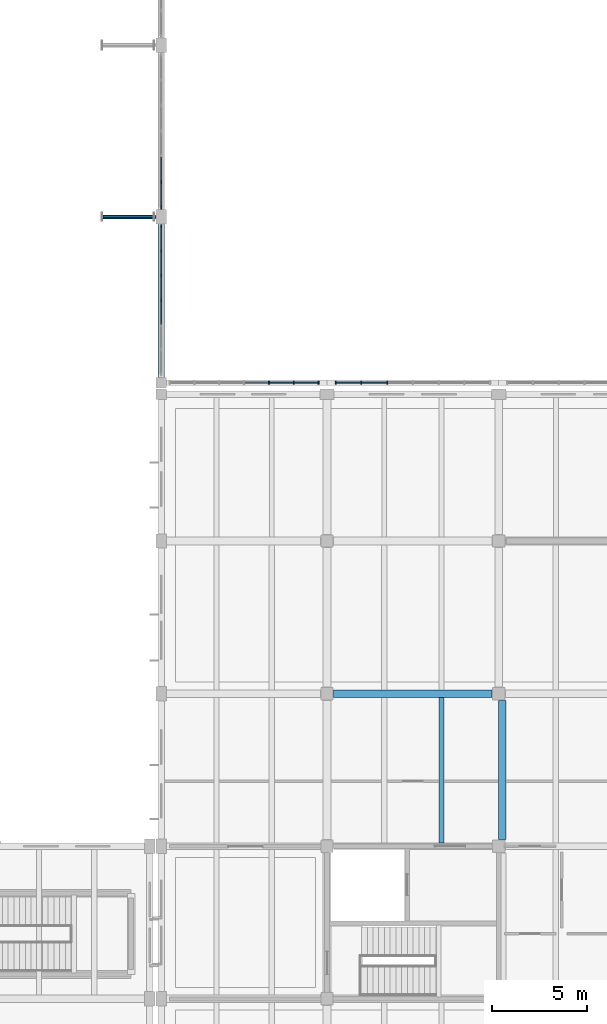
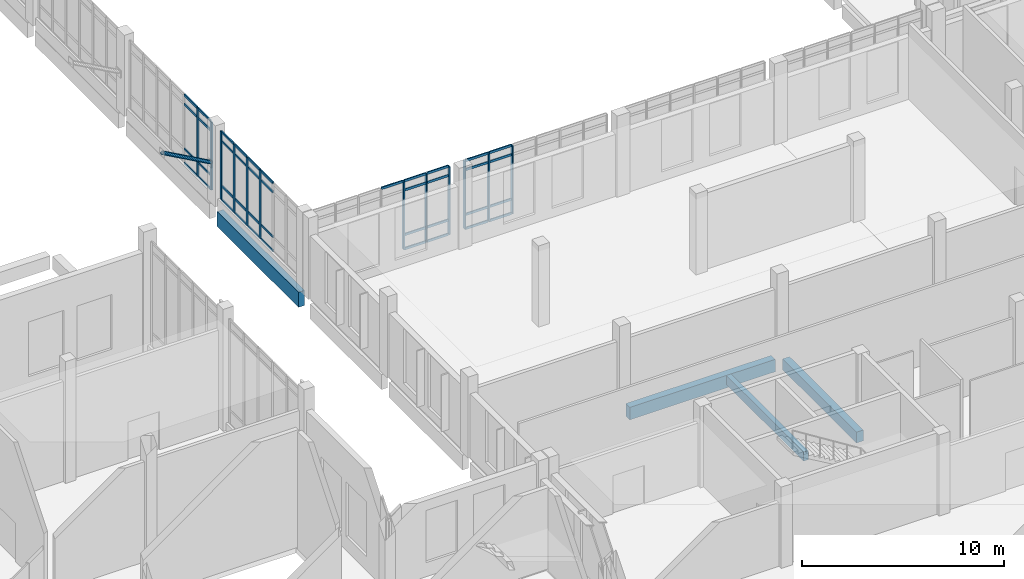
# One storey, part 33 of 110: 54 members, 4 beams, 4 elements without a shape of their own.
"""IFC4 building model written with IfcOpenShell, lengths in metres."""

from ifc_helpers import new_model, si_unit, direction, frame, origin, origin_2d, place, context, subcontext, project, spatial, rectangle, hollow_circle, extrude, material, layer, layer_set, material_profile, profile_set, type_object, element, aggregate, save


model = new_model("IFC4")

# Units and contexts
model_context = context("Model", 3, precision=1e-05, world=origin(), true_north=direction((0.0, 1.0)))
body_context = subcontext(model_context, "Body", "Model", "MODEL_VIEW")
ifc_project = project(units=[si_unit("LENGTHUNIT", "METRE"), si_unit("AREAUNIT", "SQUARE_METRE"), si_unit("VOLUMEUNIT", "CUBIC_METRE"), si_unit("PLANEANGLEUNIT", "RADIAN"), si_unit("MASSUNIT", "GRAM", prefix="KILO")], contexts=[model_context])

# Site, building, storey
site_placement = place(None, origin())
site = spatial("IfcSite", under=ifc_project, at=site_placement, CompositionType="ELEMENT")
building_placement = place(site_placement, origin())
building = spatial("IfcBuilding", under=site, at=building_placement, Name="Zacnel Wholesale Market", CompositionType="ELEMENT")
storey_placement = place(building_placement, frame((0.0, 0.0, 6.300048828125)))
storey = spatial("IfcBuildingStorey", under=building, at=storey_placement, Name="L02", CompositionType="ELEMENT", Elevation=6.300048828125)

# Beams
ifc_material_1 = material(Name="Precast concrete C45/55", Category="concrete")
ifc_material_profile_1 = material_profile(ifc_material_1, rectangle(XDim=0.280029296875, YDim=0.550048828125, at=origin_2d()), Name="DT RIB 280x550")
ifc_profile_set_1 = profile_set([ifc_material_profile_1], Name="Precast concrete C45/55")
beam_type_1 = type_object("IfcBeamType", Name="BM-DT550", PredefinedType="JOIST", material=ifc_profile_set_1)
beam_1_placement = place(storey_placement, frame((159.0, 24.175048828125, -0.574951171875), z_axis=(0.0, 1.0, 0.0), x_axis=(-1.0, 0.0, 0.0)))
element("IfcBeam", 1, at=beam_1_placement, inside=storey, type_object=beam_type_1, Name="Precast secondary joist L02-0102", PredefinedType="JOIST", context=body_context, shape_type="SweptSolid", body=[
    extrude(rectangle(XDim=0.280029296875, YDim=0.550048828125, at=origin_2d()), origin(), (0.0, 0.0, 1.0), 7.625),
])
ifc_material_2 = material(Name="Precast concrete C45/55", Category="concrete")
ifc_material_profile_2 = material_profile(ifc_material_2, rectangle(XDim=0.39990234375, YDim=0.64990234375, at=origin_2d()), Name="PG 400x650")
ifc_profile_set_2 = profile_set([ifc_material_profile_2], Name="Precast concrete C45/55")
beam_type_2 = type_object("IfcBeamType", Name="BM-PG650", PredefinedType="BEAM", material=ifc_profile_set_2)
beam_2_placement = place(storey_placement, frame((162.179931640625, 24.35009765625, -0.625), z_axis=(0.0, 1.0, 0.0), x_axis=(-1.0, 0.0, 0.0)))
element("IfcBeam", 2, at=beam_2_placement, inside=storey, type_object=beam_type_2, Name="Precast girder Y-0491", PredefinedType="BEAM", context=body_context, shape_type="SweptSolid", body=[
    extrude(rectangle(XDim=0.39990234375, YDim=0.64990234375, at=origin_2d()), origin(), (0.0, 0.0, 1.0), 7.2998046875),
])
ifc_material_3 = material(Name="Precast concrete C45/55", Category="concrete")
ifc_material_profile_3 = material_profile(ifc_material_3, rectangle(XDim=0.39990234375, YDim=0.75, at=origin_2d()), Name="PG 400x750")
ifc_profile_set_3 = profile_set([ifc_material_profile_3], Name="Precast concrete C45/55")
beam_type_3 = type_object("IfcBeamType", Name="BM-PG750", PredefinedType="BEAM", material=ifc_profile_set_3)
beam_3_placement = place(storey_placement, frame((153.35009765625, 32.0, -0.675048828125), z_axis=(1.0, 0.0, 0.0), x_axis=(0.0, 1.0, 0.0)))
element("IfcBeam", 3, at=beam_3_placement, inside=storey, type_object=beam_type_3, Name="Precast girder X-0087", PredefinedType="BEAM", context=body_context, shape_type="SweptSolid", body=[
    extrude(rectangle(XDim=0.39990234375, YDim=0.75, at=origin_2d()), origin(), (0.0, 0.0, 1.0), 8.2998046875),
])
ifc_material_4 = material(Name="Precast concrete C45/55", Category="concrete")
ifc_material_profile_4 = material_profile(ifc_material_4, rectangle(XDim=0.35009765625, YDim=0.89990234375, at=origin_2d()), Name="SP 350x900")
ifc_profile_set_4 = profile_set([ifc_material_profile_4], Name="Precast concrete C45/55")
beam_type_4 = type_object("IfcBeamType", Name="BM-SP900", PredefinedType="SPANDREL", material=ifc_profile_set_4)
beam_4_placement = place(storey_placement, frame((144.300048828125, 48.574951171875, -0.75), z_axis=(0.0, 1.0, 0.0), x_axis=(-1.0, 0.0, 0.0)))
element("IfcBeam", 4, at=beam_4_placement, inside=storey, type_object=beam_type_4, Name="Precast girder Y-0475", PredefinedType="SPANDREL", context=body_context, shape_type="SweptSolid", body=[
    extrude(rectangle(XDim=0.35009765625, YDim=0.89990234375, at=origin_2d()), origin(), (0.0, 0.0, 1.0), 8.050048828125),
])

# Curtain wall, members
ifc_material_5 = material(Name="Anodised aluminium", Category="aluminium")
ifc_layer = layer(ifc_material_5, 0.159912109375)
ifc_layer_set = layer_set([ifc_layer], Name="Anodised aluminium")
curtain_wall_type = type_object("IfcCurtainWallType", Name="CW-NAVE-4200", PredefinedType="NOTDEFINED", material=ifc_layer_set)
curtain_wall_1_placement = place(storey_placement, origin())
curtain_wall_1 = element("IfcCurtainWall", 5, at=curtain_wall_1_placement, inside=storey, type_object=curtain_wall_type, Name="Curtain wall ENV-R2-CW-L02-037", PredefinedType="NOTDEFINED")
ifc_material_6 = material(Name="Anodised aluminium", Category="aluminium")
ifc_material_profile_5 = material_profile(ifc_material_6, rectangle(XDim=0.06494140625, YDim=0.179931640625, at=origin_2d()), Name="AW-MULLION 65x180")
ifc_profile_set_5 = profile_set([ifc_material_profile_5], Name="Anodised aluminium")
member_type_1 = type_object("IfcMemberType", Name="CWM-MUL-03", PredefinedType="MULLION", material=ifc_profile_set_5)
member_1_placement = place(storey_placement, frame((149.949951171875, 48.300048828125, 0.449951171875), z_axis=(0.0, 0.0, 1.0), x_axis=(1.0, 0.0, 0.0)))
member_1 = element("IfcMember", 6, at=member_1_placement, type_object=member_type_1, Name="ENV-R2-CW-L02-037 mullion 05", PredefinedType="MULLION", context=body_context, shape_type="SweptSolid", body=[
    extrude(rectangle(XDim=0.06494140625, YDim=0.179931640625, at=origin_2d()), origin(), (0.0, 0.0, 1.0), 4.10009765625),
])
member_2_placement = place(storey_placement, frame((151.25, 48.300048828125, 0.449951171875), z_axis=(0.0, 0.0, 1.0), x_axis=(1.0, 0.0, 0.0)))
member_2 = element("IfcMember", 7, at=member_2_placement, type_object=member_type_1, Name="ENV-R2-CW-L02-037 mullion 06", PredefinedType="MULLION", context=body_context, shape_type="SweptSolid", body=[
    extrude(rectangle(XDim=0.06494140625, YDim=0.179931640625, at=origin_2d()), origin(), (0.0, 0.0, 1.0), 4.10009765625),
])
member_3_placement = place(storey_placement, frame((152.550048828125, 48.300048828125, 0.449951171875), z_axis=(0.0, 0.0, 1.0), x_axis=(1.0, 0.0, 0.0)))
member_3 = element("IfcMember", 8, at=member_3_placement, type_object=member_type_1, Name="ENV-R2-CW-L02-037 mullion 07", PredefinedType="MULLION", context=body_context, shape_type="SweptSolid", body=[
    extrude(rectangle(XDim=0.06494140625, YDim=0.179931640625, at=origin_2d()), origin(), (0.0, 0.0, 1.0), 4.10009765625),
])

curtain_wall_2_placement = place(storey_placement, origin())
curtain_wall_2 = element("IfcCurtainWall", 9, at=curtain_wall_2_placement, inside=storey, type_object=curtain_wall_type, Name="Curtain wall ENV-R2-CW-L02-038", PredefinedType="NOTDEFINED")
member_4_placement = place(storey_placement, frame((153.449951171875, 48.300048828125, 0.449951171875), z_axis=(0.0, 0.0, 1.0), x_axis=(1.0, 0.0, 0.0)))
member_4 = element("IfcMember", 10, at=member_4_placement, type_object=member_type_1, Name="ENV-R2-CW-L02-038 mullion 01", PredefinedType="MULLION", context=body_context, shape_type="SweptSolid", body=[
    extrude(rectangle(XDim=0.06494140625, YDim=0.179931640625, at=origin_2d()), origin(), (0.0, 0.0, 1.0), 4.10009765625),
])
member_5_placement = place(storey_placement, frame((154.800048828125, 48.300048828125, 0.449951171875), z_axis=(0.0, 0.0, 1.0), x_axis=(1.0, 0.0, 0.0)))
member_5 = element("IfcMember", 11, at=member_5_placement, type_object=member_type_1, Name="ENV-R2-CW-L02-038 mullion 02", PredefinedType="MULLION", context=body_context, shape_type="SweptSolid", body=[
    extrude(rectangle(XDim=0.06494140625, YDim=0.179931640625, at=origin_2d()), origin(), (0.0, 0.0, 1.0), 4.10009765625),
])
member_6_placement = place(storey_placement, frame((156.14990234375, 48.300048828125, 0.449951171875), z_axis=(0.0, 0.0, 1.0), x_axis=(1.0, 0.0, 0.0)))
member_6 = element("IfcMember", 12, at=member_6_placement, type_object=member_type_1, Name="ENV-R2-CW-L02-038 mullion 03", PredefinedType="MULLION", context=body_context, shape_type="SweptSolid", body=[
    extrude(rectangle(XDim=0.06494140625, YDim=0.179931640625, at=origin_2d()), origin(), (0.0, 0.0, 1.0), 4.10009765625),
])

curtain_wall_3_placement = place(storey_placement, origin())
curtain_wall_3 = element("IfcCurtainWall", 13, at=curtain_wall_3_placement, inside=storey, type_object=curtain_wall_type, Name="Curtain wall ENV-R2-CW-L02-041", PredefinedType="NOTDEFINED")
member_7_placement = place(storey_placement, frame((144.300048828125, 52.62744140625, 0.449951171875), z_axis=(0.0, 0.0, 1.0), x_axis=(1.0, 0.0, 0.0)))
member_7 = element("IfcMember", 14, at=member_7_placement, type_object=member_type_1, Name="ENV-R2-CW-L02-041 mullion 04", PredefinedType="MULLION", context=body_context, shape_type="SweptSolid", body=[
    extrude(rectangle(XDim=0.06494140625, YDim=0.179931640625, at=origin_2d()), origin(), (0.0, 0.0, 1.0), 4.10009765625),
])
member_8_placement = place(storey_placement, frame((144.300048828125, 53.919921875, 0.449951171875), z_axis=(0.0, 0.0, 1.0), x_axis=(1.0, 0.0, 0.0)))
member_8 = element("IfcMember", 15, at=member_8_placement, type_object=member_type_1, Name="ENV-R2-CW-L02-041 mullion 05", PredefinedType="MULLION", context=body_context, shape_type="SweptSolid", body=[
    extrude(rectangle(XDim=0.06494140625, YDim=0.179931640625, at=origin_2d()), origin(), (0.0, 0.0, 1.0), 4.10009765625),
])
member_9_placement = place(storey_placement, frame((144.300048828125, 55.21240234375, 0.449951171875), z_axis=(0.0, 0.0, 1.0), x_axis=(1.0, 0.0, 0.0)))
member_9 = element("IfcMember", 16, at=member_9_placement, type_object=member_type_1, Name="ENV-R2-CW-L02-041 mullion 06", PredefinedType="MULLION", context=body_context, shape_type="SweptSolid", body=[
    extrude(rectangle(XDim=0.06494140625, YDim=0.179931640625, at=origin_2d()), origin(), (0.0, 0.0, 1.0), 4.10009765625),
])
member_10_placement = place(storey_placement, frame((144.300048828125, 56.5048828125, 0.449951171875), z_axis=(0.0, 0.0, 1.0), x_axis=(1.0, 0.0, 0.0)))
member_10 = element("IfcMember", 17, at=member_10_placement, type_object=member_type_1, Name="ENV-R2-CW-L02-041 mullion 07", PredefinedType="MULLION", context=body_context, shape_type="SweptSolid", body=[
    extrude(rectangle(XDim=0.06494140625, YDim=0.179931640625, at=origin_2d()), origin(), (0.0, 0.0, 1.0), 4.10009765625),
])

curtain_wall_4_placement = place(storey_placement, origin())
curtain_wall_4 = element("IfcCurtainWall", 18, at=curtain_wall_4_placement, inside=storey, type_object=curtain_wall_type, Name="Curtain wall ENV-R2-CW-L02-042", PredefinedType="NOTDEFINED")
member_11_placement = place(storey_placement, frame((144.300048828125, 57.4951171875, 0.449951171875), z_axis=(0.0, 0.0, 1.0), x_axis=(1.0, 0.0, 0.0)))
member_11 = element("IfcMember", 19, at=member_11_placement, type_object=member_type_1, Name="ENV-R2-CW-L02-042 mullion 01", PredefinedType="MULLION", context=body_context, shape_type="SweptSolid", body=[
    extrude(rectangle(XDim=0.06494140625, YDim=0.179931640625, at=origin_2d()), origin(), (0.0, 0.0, 1.0), 4.10009765625),
])
member_12_placement = place(storey_placement, frame((144.300048828125, 58.830078125, 0.449951171875), z_axis=(0.0, 0.0, 1.0), x_axis=(1.0, 0.0, 0.0)))
member_12 = element("IfcMember", 20, at=member_12_placement, type_object=member_type_1, Name="ENV-R2-CW-L02-042 mullion 02", PredefinedType="MULLION", context=body_context, shape_type="SweptSolid", body=[
    extrude(rectangle(XDim=0.06494140625, YDim=0.179931640625, at=origin_2d()), origin(), (0.0, 0.0, 1.0), 4.10009765625),
])

# Member
ifc_material_7 = material(Name="Anodised aluminium", Category="aluminium")
ifc_material_profile_6 = material_profile(ifc_material_7, rectangle(XDim=0.06494140625, YDim=0.139892578125, at=origin_2d()), Name="AW-TRANSOM 65x140")
ifc_profile_set_6 = profile_set([ifc_material_profile_6], Name="Anodised aluminium")
member_type_2 = type_object("IfcMemberType", Name="CWM-TRN-03", PredefinedType="USERDEFINED", material=ifc_profile_set_6)
member_13_placement = place(storey_placement, frame((148.68505859375, 48.300048828125, 4.550048828125), z_axis=(1.0, 0.0, 0.0), x_axis=(0.0, 1.0, 0.0)))
member_13 = element("IfcMember", 21, at=member_13_placement, type_object=member_type_2, Name="ENV-R2-CW-L02-037 transom 4-4", ObjectType="TRANSOM", PredefinedType="USERDEFINED", context=body_context, shape_type="SweptSolid", body=[
    extrude(rectangle(XDim=0.06494140625, YDim=0.139892578125, at=origin_2d()), origin(), (0.0, 0.0, 1.0), 1.22998046875),
])

member_14_placement = place(storey_placement, frame((149.985107421875, 48.300048828125, 0.449951171875), z_axis=(1.0, 0.0, 0.0), x_axis=(0.0, 1.0, 0.0)))
member_14 = element("IfcMember", 22, at=member_14_placement, type_object=member_type_2, Name="ENV-R2-CW-L02-037 transom 5-1", ObjectType="TRANSOM", PredefinedType="USERDEFINED", context=body_context, shape_type="SweptSolid", body=[
    extrude(rectangle(XDim=0.06494140625, YDim=0.139892578125, at=origin_2d()), origin(), (0.0, 0.0, 1.0), 1.22998046875),
])

member_15_placement = place(storey_placement, frame((149.985107421875, 48.300048828125, 1.300048828125), z_axis=(1.0, 0.0, 0.0), x_axis=(0.0, 1.0, 0.0)))
member_15 = element("IfcMember", 23, at=member_15_placement, type_object=member_type_2, Name="ENV-R2-CW-L02-037 transom 5-2", ObjectType="TRANSOM", PredefinedType="USERDEFINED", context=body_context, shape_type="SweptSolid", body=[
    extrude(rectangle(XDim=0.06494140625, YDim=0.139892578125, at=origin_2d()), origin(), (0.0, 0.0, 1.0), 1.22998046875),
])

member_16_placement = place(storey_placement, frame((149.985107421875, 48.300048828125, 4.0), z_axis=(1.0, 0.0, 0.0), x_axis=(0.0, 1.0, 0.0)))
member_16 = element("IfcMember", 24, at=member_16_placement, type_object=member_type_2, Name="ENV-R2-CW-L02-037 transom 5-3", ObjectType="TRANSOM", PredefinedType="USERDEFINED", context=body_context, shape_type="SweptSolid", body=[
    extrude(rectangle(XDim=0.06494140625, YDim=0.139892578125, at=origin_2d()), origin(), (0.0, 0.0, 1.0), 1.22998046875),
])

member_17_placement = place(storey_placement, frame((149.985107421875, 48.300048828125, 4.550048828125), z_axis=(1.0, 0.0, 0.0), x_axis=(0.0, 1.0, 0.0)))
member_17 = element("IfcMember", 25, at=member_17_placement, type_object=member_type_2, Name="ENV-R2-CW-L02-037 transom 5-4", ObjectType="TRANSOM", PredefinedType="USERDEFINED", context=body_context, shape_type="SweptSolid", body=[
    extrude(rectangle(XDim=0.06494140625, YDim=0.139892578125, at=origin_2d()), origin(), (0.0, 0.0, 1.0), 1.22998046875),
])

member_18_placement = place(storey_placement, frame((151.284912109375, 48.300048828125, 0.449951171875), z_axis=(1.0, 0.0, 0.0), x_axis=(0.0, 1.0, 0.0)))
member_18 = element("IfcMember", 26, at=member_18_placement, type_object=member_type_2, Name="ENV-R2-CW-L02-037 transom 6-1", ObjectType="TRANSOM", PredefinedType="USERDEFINED", context=body_context, shape_type="SweptSolid", body=[
    extrude(rectangle(XDim=0.06494140625, YDim=0.139892578125, at=origin_2d()), origin(), (0.0, 0.0, 1.0), 1.22998046875),
])

member_19_placement = place(storey_placement, frame((151.284912109375, 48.300048828125, 1.300048828125), z_axis=(1.0, 0.0, 0.0), x_axis=(0.0, 1.0, 0.0)))
member_19 = element("IfcMember", 27, at=member_19_placement, type_object=member_type_2, Name="ENV-R2-CW-L02-037 transom 6-2", ObjectType="TRANSOM", PredefinedType="USERDEFINED", context=body_context, shape_type="SweptSolid", body=[
    extrude(rectangle(XDim=0.06494140625, YDim=0.139892578125, at=origin_2d()), origin(), (0.0, 0.0, 1.0), 1.22998046875),
])

member_20_placement = place(storey_placement, frame((151.284912109375, 48.300048828125, 4.0), z_axis=(1.0, 0.0, 0.0), x_axis=(0.0, 1.0, 0.0)))
member_20 = element("IfcMember", 28, at=member_20_placement, type_object=member_type_2, Name="ENV-R2-CW-L02-037 transom 6-3", ObjectType="TRANSOM", PredefinedType="USERDEFINED", context=body_context, shape_type="SweptSolid", body=[
    extrude(rectangle(XDim=0.06494140625, YDim=0.139892578125, at=origin_2d()), origin(), (0.0, 0.0, 1.0), 1.22998046875),
])

member_21_placement = place(storey_placement, frame((151.284912109375, 48.300048828125, 4.550048828125), z_axis=(1.0, 0.0, 0.0), x_axis=(0.0, 1.0, 0.0)))
member_21 = element("IfcMember", 29, at=member_21_placement, type_object=member_type_2, Name="ENV-R2-CW-L02-037 transom 6-4", ObjectType="TRANSOM", PredefinedType="USERDEFINED", context=body_context, shape_type="SweptSolid", body=[
    extrude(rectangle(XDim=0.06494140625, YDim=0.139892578125, at=origin_2d()), origin(), (0.0, 0.0, 1.0), 1.22998046875),
])

aggregate(curtain_wall_1, [member_1, member_2, member_3, member_13, member_14, member_15, member_16, member_17, member_18, member_19, member_20, member_21])

member_22_placement = place(storey_placement, frame((153.485107421875, 48.300048828125, 0.449951171875), z_axis=(1.0, 0.0, 0.0), x_axis=(0.0, 1.0, 0.0)))
member_22 = element("IfcMember", 30, at=member_22_placement, type_object=member_type_2, Name="ENV-R2-CW-L02-038 transom 1-1", ObjectType="TRANSOM", PredefinedType="USERDEFINED", context=body_context, shape_type="SweptSolid", body=[
    extrude(rectangle(XDim=0.06494140625, YDim=0.139892578125, at=origin_2d()), origin(), (0.0, 0.0, 1.0), 1.27978515625),
])

member_23_placement = place(storey_placement, frame((153.485107421875, 48.300048828125, 1.300048828125), z_axis=(1.0, 0.0, 0.0), x_axis=(0.0, 1.0, 0.0)))
member_23 = element("IfcMember", 31, at=member_23_placement, type_object=member_type_2, Name="ENV-R2-CW-L02-038 transom 1-2", ObjectType="TRANSOM", PredefinedType="USERDEFINED", context=body_context, shape_type="SweptSolid", body=[
    extrude(rectangle(XDim=0.06494140625, YDim=0.139892578125, at=origin_2d()), origin(), (0.0, 0.0, 1.0), 1.27978515625),
])

member_24_placement = place(storey_placement, frame((153.485107421875, 48.300048828125, 4.0), z_axis=(1.0, 0.0, 0.0), x_axis=(0.0, 1.0, 0.0)))
member_24 = element("IfcMember", 32, at=member_24_placement, type_object=member_type_2, Name="ENV-R2-CW-L02-038 transom 1-3", ObjectType="TRANSOM", PredefinedType="USERDEFINED", context=body_context, shape_type="SweptSolid", body=[
    extrude(rectangle(XDim=0.06494140625, YDim=0.139892578125, at=origin_2d()), origin(), (0.0, 0.0, 1.0), 1.27978515625),
])

member_25_placement = place(storey_placement, frame((153.485107421875, 48.300048828125, 4.550048828125), z_axis=(1.0, 0.0, 0.0), x_axis=(0.0, 1.0, 0.0)))
member_25 = element("IfcMember", 33, at=member_25_placement, type_object=member_type_2, Name="ENV-R2-CW-L02-038 transom 1-4", ObjectType="TRANSOM", PredefinedType="USERDEFINED", context=body_context, shape_type="SweptSolid", body=[
    extrude(rectangle(XDim=0.06494140625, YDim=0.139892578125, at=origin_2d()), origin(), (0.0, 0.0, 1.0), 1.27978515625),
])

member_26_placement = place(storey_placement, frame((154.8349609375, 48.300048828125, 0.449951171875), z_axis=(1.0, 0.0, 0.0), x_axis=(0.0, 1.0, 0.0)))
member_26 = element("IfcMember", 34, at=member_26_placement, type_object=member_type_2, Name="ENV-R2-CW-L02-038 transom 2-1", ObjectType="TRANSOM", PredefinedType="USERDEFINED", context=body_context, shape_type="SweptSolid", body=[
    extrude(rectangle(XDim=0.06494140625, YDim=0.139892578125, at=origin_2d()), origin(), (0.0, 0.0, 1.0), 1.280029296875),
])

member_27_placement = place(storey_placement, frame((154.8349609375, 48.300048828125, 1.300048828125), z_axis=(1.0, 0.0, 0.0), x_axis=(0.0, 1.0, 0.0)))
member_27 = element("IfcMember", 35, at=member_27_placement, type_object=member_type_2, Name="ENV-R2-CW-L02-038 transom 2-2", ObjectType="TRANSOM", PredefinedType="USERDEFINED", context=body_context, shape_type="SweptSolid", body=[
    extrude(rectangle(XDim=0.06494140625, YDim=0.139892578125, at=origin_2d()), origin(), (0.0, 0.0, 1.0), 1.280029296875),
])

member_28_placement = place(storey_placement, frame((154.8349609375, 48.300048828125, 4.0), z_axis=(1.0, 0.0, 0.0), x_axis=(0.0, 1.0, 0.0)))
member_28 = element("IfcMember", 36, at=member_28_placement, type_object=member_type_2, Name="ENV-R2-CW-L02-038 transom 2-3", ObjectType="TRANSOM", PredefinedType="USERDEFINED", context=body_context, shape_type="SweptSolid", body=[
    extrude(rectangle(XDim=0.06494140625, YDim=0.139892578125, at=origin_2d()), origin(), (0.0, 0.0, 1.0), 1.280029296875),
])

member_29_placement = place(storey_placement, frame((154.8349609375, 48.300048828125, 4.550048828125), z_axis=(1.0, 0.0, 0.0), x_axis=(0.0, 1.0, 0.0)))
member_29 = element("IfcMember", 37, at=member_29_placement, type_object=member_type_2, Name="ENV-R2-CW-L02-038 transom 2-4", ObjectType="TRANSOM", PredefinedType="USERDEFINED", context=body_context, shape_type="SweptSolid", body=[
    extrude(rectangle(XDim=0.06494140625, YDim=0.139892578125, at=origin_2d()), origin(), (0.0, 0.0, 1.0), 1.280029296875),
])

aggregate(curtain_wall_2, [member_4, member_5, member_6, member_22, member_23, member_24, member_25, member_26, member_27, member_28, member_29])

member_30_placement = place(storey_placement, frame((144.300048828125, 51.3701171875, 0.449951171875), z_axis=(0.0, 1.0, 0.0), x_axis=(-1.0, 0.0, 0.0)))
member_30 = element("IfcMember", 38, at=member_30_placement, type_object=member_type_2, Name="ENV-R2-CW-L02-041 transom 3-1", ObjectType="TRANSOM", PredefinedType="USERDEFINED", context=body_context, shape_type="SweptSolid", body=[
    extrude(rectangle(XDim=0.06494140625, YDim=0.139892578125, at=origin_2d()), origin(), (0.0, 0.0, 1.0), 1.222412109375),
])

member_31_placement = place(storey_placement, frame((144.300048828125, 51.3701171875, 1.300048828125), z_axis=(0.0, 1.0, 0.0), x_axis=(-1.0, 0.0, 0.0)))
member_31 = element("IfcMember", 39, at=member_31_placement, type_object=member_type_2, Name="ENV-R2-CW-L02-041 transom 3-2", ObjectType="TRANSOM", PredefinedType="USERDEFINED", context=body_context, shape_type="SweptSolid", body=[
    extrude(rectangle(XDim=0.06494140625, YDim=0.139892578125, at=origin_2d()), origin(), (0.0, 0.0, 1.0), 1.222412109375),
])

member_32_placement = place(storey_placement, frame((144.300048828125, 51.3701171875, 4.0), z_axis=(0.0, 1.0, 0.0), x_axis=(-1.0, 0.0, 0.0)))
member_32 = element("IfcMember", 40, at=member_32_placement, type_object=member_type_2, Name="ENV-R2-CW-L02-041 transom 3-3", ObjectType="TRANSOM", PredefinedType="USERDEFINED", context=body_context, shape_type="SweptSolid", body=[
    extrude(rectangle(XDim=0.06494140625, YDim=0.139892578125, at=origin_2d()), origin(), (0.0, 0.0, 1.0), 1.222412109375),
])

member_33_placement = place(storey_placement, frame((144.300048828125, 51.3701171875, 4.550048828125), z_axis=(0.0, 1.0, 0.0), x_axis=(-1.0, 0.0, 0.0)))
member_33 = element("IfcMember", 41, at=member_33_placement, type_object=member_type_2, Name="ENV-R2-CW-L02-041 transom 3-4", ObjectType="TRANSOM", PredefinedType="USERDEFINED", context=body_context, shape_type="SweptSolid", body=[
    extrude(rectangle(XDim=0.06494140625, YDim=0.139892578125, at=origin_2d()), origin(), (0.0, 0.0, 1.0), 1.222412109375),
])

member_34_placement = place(storey_placement, frame((144.300048828125, 52.66259765625, 0.449951171875), z_axis=(0.0, 1.0, 0.0), x_axis=(-1.0, 0.0, 0.0)))
member_34 = element("IfcMember", 42, at=member_34_placement, type_object=member_type_2, Name="ENV-R2-CW-L02-041 transom 4-1", ObjectType="TRANSOM", PredefinedType="USERDEFINED", context=body_context, shape_type="SweptSolid", body=[
    extrude(rectangle(XDim=0.06494140625, YDim=0.139892578125, at=origin_2d()), origin(), (0.0, 0.0, 1.0), 1.222412109375),
])

member_35_placement = place(storey_placement, frame((144.300048828125, 52.66259765625, 1.300048828125), z_axis=(0.0, 1.0, 0.0), x_axis=(-1.0, 0.0, 0.0)))
member_35 = element("IfcMember", 43, at=member_35_placement, type_object=member_type_2, Name="ENV-R2-CW-L02-041 transom 4-2", ObjectType="TRANSOM", PredefinedType="USERDEFINED", context=body_context, shape_type="SweptSolid", body=[
    extrude(rectangle(XDim=0.06494140625, YDim=0.139892578125, at=origin_2d()), origin(), (0.0, 0.0, 1.0), 1.222412109375),
])

member_36_placement = place(storey_placement, frame((144.300048828125, 52.66259765625, 4.0), z_axis=(0.0, 1.0, 0.0), x_axis=(-1.0, 0.0, 0.0)))
member_36 = element("IfcMember", 44, at=member_36_placement, type_object=member_type_2, Name="ENV-R2-CW-L02-041 transom 4-3", ObjectType="TRANSOM", PredefinedType="USERDEFINED", context=body_context, shape_type="SweptSolid", body=[
    extrude(rectangle(XDim=0.06494140625, YDim=0.139892578125, at=origin_2d()), origin(), (0.0, 0.0, 1.0), 1.222412109375),
])

member_37_placement = place(storey_placement, frame((144.300048828125, 52.66259765625, 4.550048828125), z_axis=(0.0, 1.0, 0.0), x_axis=(-1.0, 0.0, 0.0)))
member_37 = element("IfcMember", 45, at=member_37_placement, type_object=member_type_2, Name="ENV-R2-CW-L02-041 transom 4-4", ObjectType="TRANSOM", PredefinedType="USERDEFINED", context=body_context, shape_type="SweptSolid", body=[
    extrude(rectangle(XDim=0.06494140625, YDim=0.139892578125, at=origin_2d()), origin(), (0.0, 0.0, 1.0), 1.222412109375),
])

member_38_placement = place(storey_placement, frame((144.300048828125, 53.955078125, 0.449951171875), z_axis=(0.0, 1.0, 0.0), x_axis=(-1.0, 0.0, 0.0)))
member_38 = element("IfcMember", 46, at=member_38_placement, type_object=member_type_2, Name="ENV-R2-CW-L02-041 transom 5-1", ObjectType="TRANSOM", PredefinedType="USERDEFINED", context=body_context, shape_type="SweptSolid", body=[
    extrude(rectangle(XDim=0.06494140625, YDim=0.139892578125, at=origin_2d()), origin(), (0.0, 0.0, 1.0), 1.222412109375),
])

member_39_placement = place(storey_placement, frame((144.300048828125, 53.955078125, 1.300048828125), z_axis=(0.0, 1.0, 0.0), x_axis=(-1.0, 0.0, 0.0)))
member_39 = element("IfcMember", 47, at=member_39_placement, type_object=member_type_2, Name="ENV-R2-CW-L02-041 transom 5-2", ObjectType="TRANSOM", PredefinedType="USERDEFINED", context=body_context, shape_type="SweptSolid", body=[
    extrude(rectangle(XDim=0.06494140625, YDim=0.139892578125, at=origin_2d()), origin(), (0.0, 0.0, 1.0), 1.222412109375),
])

member_40_placement = place(storey_placement, frame((144.300048828125, 53.955078125, 4.0), z_axis=(0.0, 1.0, 0.0), x_axis=(-1.0, 0.0, 0.0)))
member_40 = element("IfcMember", 48, at=member_40_placement, type_object=member_type_2, Name="ENV-R2-CW-L02-041 transom 5-3", ObjectType="TRANSOM", PredefinedType="USERDEFINED", context=body_context, shape_type="SweptSolid", body=[
    extrude(rectangle(XDim=0.06494140625, YDim=0.139892578125, at=origin_2d()), origin(), (0.0, 0.0, 1.0), 1.222412109375),
])

member_41_placement = place(storey_placement, frame((144.300048828125, 53.955078125, 4.550048828125), z_axis=(0.0, 1.0, 0.0), x_axis=(-1.0, 0.0, 0.0)))
member_41 = element("IfcMember", 49, at=member_41_placement, type_object=member_type_2, Name="ENV-R2-CW-L02-041 transom 5-4", ObjectType="TRANSOM", PredefinedType="USERDEFINED", context=body_context, shape_type="SweptSolid", body=[
    extrude(rectangle(XDim=0.06494140625, YDim=0.139892578125, at=origin_2d()), origin(), (0.0, 0.0, 1.0), 1.222412109375),
])

member_42_placement = place(storey_placement, frame((144.300048828125, 55.24755859375, 0.449951171875), z_axis=(0.0, 1.0, 0.0), x_axis=(-1.0, 0.0, 0.0)))
member_42 = element("IfcMember", 50, at=member_42_placement, type_object=member_type_2, Name="ENV-R2-CW-L02-041 transom 6-1", ObjectType="TRANSOM", PredefinedType="USERDEFINED", context=body_context, shape_type="SweptSolid", body=[
    extrude(rectangle(XDim=0.06494140625, YDim=0.139892578125, at=origin_2d()), origin(), (0.0, 0.0, 1.0), 1.222412109375),
])

member_43_placement = place(storey_placement, frame((144.300048828125, 55.24755859375, 1.300048828125), z_axis=(0.0, 1.0, 0.0), x_axis=(-1.0, 0.0, 0.0)))
member_43 = element("IfcMember", 51, at=member_43_placement, type_object=member_type_2, Name="ENV-R2-CW-L02-041 transom 6-2", ObjectType="TRANSOM", PredefinedType="USERDEFINED", context=body_context, shape_type="SweptSolid", body=[
    extrude(rectangle(XDim=0.06494140625, YDim=0.139892578125, at=origin_2d()), origin(), (0.0, 0.0, 1.0), 1.222412109375),
])

member_44_placement = place(storey_placement, frame((144.300048828125, 55.24755859375, 4.0), z_axis=(0.0, 1.0, 0.0), x_axis=(-1.0, 0.0, 0.0)))
member_44 = element("IfcMember", 52, at=member_44_placement, type_object=member_type_2, Name="ENV-R2-CW-L02-041 transom 6-3", ObjectType="TRANSOM", PredefinedType="USERDEFINED", context=body_context, shape_type="SweptSolid", body=[
    extrude(rectangle(XDim=0.06494140625, YDim=0.139892578125, at=origin_2d()), origin(), (0.0, 0.0, 1.0), 1.222412109375),
])

member_45_placement = place(storey_placement, frame((144.300048828125, 55.24755859375, 4.550048828125), z_axis=(0.0, 1.0, 0.0), x_axis=(-1.0, 0.0, 0.0)))
member_45 = element("IfcMember", 53, at=member_45_placement, type_object=member_type_2, Name="ENV-R2-CW-L02-041 transom 6-4", ObjectType="TRANSOM", PredefinedType="USERDEFINED", context=body_context, shape_type="SweptSolid", body=[
    extrude(rectangle(XDim=0.06494140625, YDim=0.139892578125, at=origin_2d()), origin(), (0.0, 0.0, 1.0), 1.222412109375),
])

aggregate(curtain_wall_3, [member_7, member_8, member_9, member_10, member_30, member_31, member_32, member_33, member_34, member_35, member_36, member_37, member_38, member_39, member_40, member_41, member_42, member_43, member_44, member_45])

member_46_placement = place(storey_placement, frame((144.300048828125, 57.530029296875, 0.449951171875), z_axis=(0.0, 1.0, 0.0), x_axis=(-1.0, 0.0, 0.0)))
member_46 = element("IfcMember", 54, at=member_46_placement, type_object=member_type_2, Name="ENV-R2-CW-L02-042 transom 1-1", ObjectType="TRANSOM", PredefinedType="USERDEFINED", context=body_context, shape_type="SweptSolid", body=[
    extrude(rectangle(XDim=0.06494140625, YDim=0.139892578125, at=origin_2d()), origin(), (0.0, 0.0, 1.0), 1.264892578125),
])

member_47_placement = place(storey_placement, frame((144.300048828125, 57.530029296875, 1.300048828125), z_axis=(0.0, 1.0, 0.0), x_axis=(-1.0, 0.0, 0.0)))
member_47 = element("IfcMember", 55, at=member_47_placement, type_object=member_type_2, Name="ENV-R2-CW-L02-042 transom 1-2", ObjectType="TRANSOM", PredefinedType="USERDEFINED", context=body_context, shape_type="SweptSolid", body=[
    extrude(rectangle(XDim=0.06494140625, YDim=0.139892578125, at=origin_2d()), origin(), (0.0, 0.0, 1.0), 1.264892578125),
])

member_48_placement = place(storey_placement, frame((144.300048828125, 57.530029296875, 4.0), z_axis=(0.0, 1.0, 0.0), x_axis=(-1.0, 0.0, 0.0)))
member_48 = element("IfcMember", 56, at=member_48_placement, type_object=member_type_2, Name="ENV-R2-CW-L02-042 transom 1-3", ObjectType="TRANSOM", PredefinedType="USERDEFINED", context=body_context, shape_type="SweptSolid", body=[
    extrude(rectangle(XDim=0.06494140625, YDim=0.139892578125, at=origin_2d()), origin(), (0.0, 0.0, 1.0), 1.264892578125),
])

member_49_placement = place(storey_placement, frame((144.300048828125, 57.530029296875, 4.550048828125), z_axis=(0.0, 1.0, 0.0), x_axis=(-1.0, 0.0, 0.0)))
member_49 = element("IfcMember", 57, at=member_49_placement, type_object=member_type_2, Name="ENV-R2-CW-L02-042 transom 1-4", ObjectType="TRANSOM", PredefinedType="USERDEFINED", context=body_context, shape_type="SweptSolid", body=[
    extrude(rectangle(XDim=0.06494140625, YDim=0.139892578125, at=origin_2d()), origin(), (0.0, 0.0, 1.0), 1.264892578125),
])

member_50_placement = place(storey_placement, frame((144.300048828125, 58.864990234375, 0.449951171875), z_axis=(0.0, 1.0, 0.0), x_axis=(-1.0, 0.0, 0.0)))
member_50 = element("IfcMember", 58, at=member_50_placement, type_object=member_type_2, Name="ENV-R2-CW-L02-042 transom 2-1", ObjectType="TRANSOM", PredefinedType="USERDEFINED", context=body_context, shape_type="SweptSolid", body=[
    extrude(rectangle(XDim=0.06494140625, YDim=0.139892578125, at=origin_2d()), origin(), (0.0, 0.0, 1.0), 1.264892578125),
])

member_51_placement = place(storey_placement, frame((144.300048828125, 58.864990234375, 1.300048828125), z_axis=(0.0, 1.0, 0.0), x_axis=(-1.0, 0.0, 0.0)))
member_51 = element("IfcMember", 59, at=member_51_placement, type_object=member_type_2, Name="ENV-R2-CW-L02-042 transom 2-2", ObjectType="TRANSOM", PredefinedType="USERDEFINED", context=body_context, shape_type="SweptSolid", body=[
    extrude(rectangle(XDim=0.06494140625, YDim=0.139892578125, at=origin_2d()), origin(), (0.0, 0.0, 1.0), 1.264892578125),
])

member_52_placement = place(storey_placement, frame((144.300048828125, 58.864990234375, 4.0), z_axis=(0.0, 1.0, 0.0), x_axis=(-1.0, 0.0, 0.0)))
member_52 = element("IfcMember", 60, at=member_52_placement, type_object=member_type_2, Name="ENV-R2-CW-L02-042 transom 2-3", ObjectType="TRANSOM", PredefinedType="USERDEFINED", context=body_context, shape_type="SweptSolid", body=[
    extrude(rectangle(XDim=0.06494140625, YDim=0.139892578125, at=origin_2d()), origin(), (0.0, 0.0, 1.0), 1.264892578125),
])

member_53_placement = place(storey_placement, frame((144.300048828125, 58.864990234375, 4.550048828125), z_axis=(0.0, 1.0, 0.0), x_axis=(-1.0, 0.0, 0.0)))
member_53 = element("IfcMember", 61, at=member_53_placement, type_object=member_type_2, Name="ENV-R2-CW-L02-042 transom 2-4", ObjectType="TRANSOM", PredefinedType="USERDEFINED", context=body_context, shape_type="SweptSolid", body=[
    extrude(rectangle(XDim=0.06494140625, YDim=0.139892578125, at=origin_2d()), origin(), (0.0, 0.0, 1.0), 1.264892578125),
])

aggregate(curtain_wall_4, [member_11, member_12, member_46, member_47, member_48, member_49, member_50, member_51, member_52, member_53])

ifc_material_8 = material(Name="Steel S355", Category="steel")
ifc_material_profile_7 = material_profile(ifc_material_8, hollow_circle(Radius=0.109619140625, WallThickness=0.010009765625, at=origin_2d()), Name="CHS 219.1x10")
ifc_profile_set_7 = profile_set([ifc_material_profile_7], Name="Steel S355")
member_type_3 = type_object("IfcMemberType", Name="MEM-STR-CHS219", PredefinedType="STRUT", material=ifc_profile_set_7)
member_54_placement = place(storey_placement, frame((143.97998046875, 57.0, 2.5), z_axis=(-0.873410930295, 0.0, 0.48698392873), x_axis=(0.0, -1.0, 0.0)))
element("IfcMember", 62, at=member_54_placement, inside=storey, type_object=member_type_3, Name="Storm eave knee strut 011", PredefinedType="STRUT", context=body_context, shape_type="SweptSolid", body=[
    extrude(hollow_circle(Radius=0.109619140625, WallThickness=0.010009765625, at=origin_2d()), origin(), (0.0, 0.0, 1.0), 3.182861328125),
])

save(model, "model.ifc")
